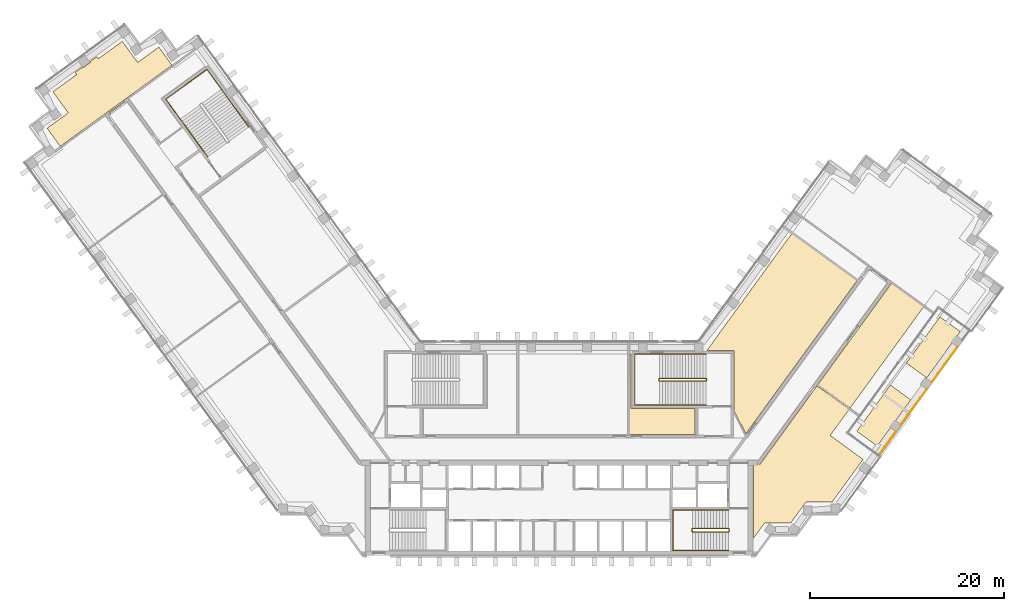
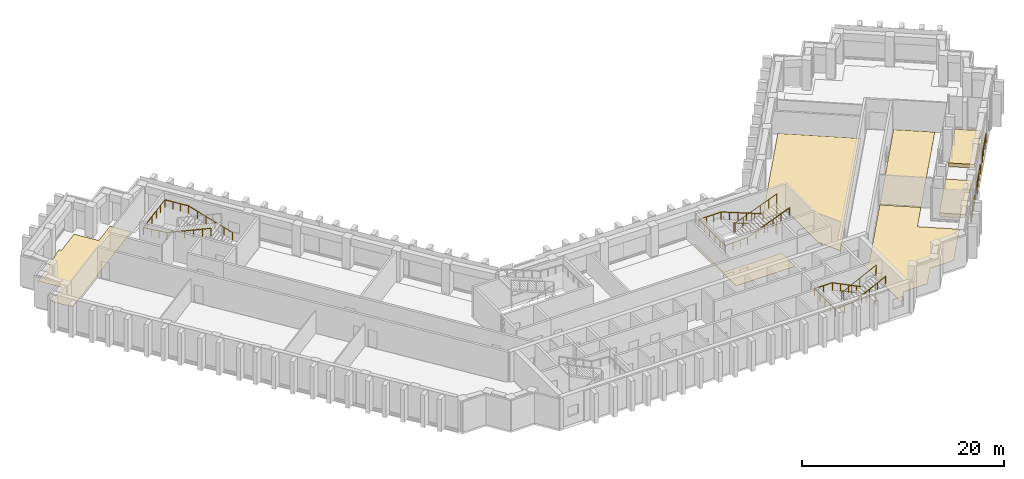
# One storey, part 14 of 15: 8 railings, 7 coverings.
"""IFC4 building model written with IfcOpenShell, lengths in metres."""

from ifc_helpers import new_model, si_unit, direction, frame, origin, origin_2d, place, context, subcontext, project, spatial, polyline, circle, outline, extrude, material, layer, layer_set, type_object, element, save


model = new_model("IFC4")

# Units and contexts
model_context = context("Model", 3, precision=1e-05, world=origin(), true_north=direction((0.0, 1.0)))
body_context = subcontext(model_context, "Body", "Model", "MODEL_VIEW")
ifc_project = project(units=[si_unit("LENGTHUNIT", "METRE"), si_unit("AREAUNIT", "SQUARE_METRE"), si_unit("VOLUMEUNIT", "CUBIC_METRE"), si_unit("PLANEANGLEUNIT", "RADIAN"), si_unit("MASSUNIT", "GRAM", prefix="KILO")], contexts=[model_context])

# Site, building, storey
site_placement = place(None, origin())
site = spatial("IfcSite", under=ifc_project, at=site_placement, CompositionType="ELEMENT")
building_placement = place(site_placement, origin())
building = spatial("IfcBuilding", under=site, at=building_placement, Name="Quipu Civic Tower", CompositionType="ELEMENT")
storey_placement = place(building_placement, frame((0.0, 0.0, 97.0)))
storey = spatial("IfcBuildingStorey", under=building, at=storey_placement, Name="L22", CompositionType="ELEMENT", Elevation=97.0)

# Coverings
ifc_material_1 = material(Name="Carpet tile on raised access floor")
ifc_layer_1 = layer(ifc_material_1, 0.02001953125)
ifc_layer_set_1 = layer_set([ifc_layer_1], Name="Carpet tile on raised access floor")
covering_type_1 = type_object("IfcCoveringType", Name="Carpet tile floor finish 20", PredefinedType="FLOORING", material=ifc_layer_set_1)
covering_1_placement = place(storey_placement, origin())
element("IfcCovering", 1, at=covering_1_placement, inside=storey, type_object=covering_type_1, Name="Carpet tile floor finish 20", PredefinedType="FLOORING", context=body_context, shape_type="SweptSolid", body=[
    extrude(outline(polyline([(26.705078125, 6.64208984375), (34.324951171875, 17.131103515625), (37.64990234375, 14.716064453125), (30.031005859375, 4.22705078125), (26.705078125, 6.64208984375)])), origin(), (0.0, 0.0, 1.0), 0.02001953125),
])
covering_2_placement = place(storey_placement, origin())
element("IfcCovering", 2, at=covering_2_placement, inside=storey, type_object=covering_type_1, Name="Carpet tile floor finish 20", PredefinedType="FLOORING", context=body_context, shape_type="SweptSolid", body=[
    extrude(outline(polyline([(-52.883056640625, 33.12890625), (-50.698974609375, 34.717041015625), (-52.284912109375, 36.90087890625), (-49.826904296875, 38.68603515625), (-49.97900390625, 38.89697265625), (-49.259033203125, 39.4208984375), (-49.236083984375, 39.388916015625), (-49.23291015625, 39.385009765625), (-49.22900390625, 39.382080078125), (-49.22607421875, 39.3779296875), (-49.220947265625, 39.3759765625), (-49.217041015625, 39.373046875), (-49.212890625, 39.37109375), (-49.2080078125, 39.3701171875), (-49.202880859375, 39.368896484375), (-49.197998046875, 39.367919921875), (-49.193115234375, 39.367919921875), (-49.18896484375, 39.368896484375), (-49.18408203125, 39.3701171875), (-49.178955078125, 39.37109375), (-49.174072265625, 39.373046875), (-49.169921875, 39.375), (-49.166015625, 39.3779296875), (-48.43798828125, 39.906982421875), (-48.43408203125, 39.909912109375), (-48.430908203125, 39.9130859375), (-48.427001953125, 39.9169921875), (-48.425048828125, 39.9208984375), (-48.422119140625, 39.926025390625), (-48.419921875, 39.929931640625), (-48.4189453125, 39.93505859375), (-48.41796875, 39.93994140625), (-48.4169921875, 39.944091796875), (-48.4169921875, 39.948974609375), (-48.41796875, 39.9541015625), (-48.4189453125, 39.958984375), (-48.419921875, 39.964111328125), (-48.422119140625, 39.968017578125), (-48.424072265625, 39.972900390625), (-48.427001953125, 39.97705078125), (-48.449951171875, 40.008056640625), (-47.72900390625, 40.531982421875), (-47.574951171875, 40.322021484375), (-45.116943359375, 42.10791015625), (-43.531982421875, 39.925048828125), (-41.346923828125, 41.510986328125), (-39.989013671875, 39.64208984375), (-51.52587890625, 31.260009765625), (-52.883056640625, 33.12890625)])), origin(), (0.0, 0.0, 1.0), 0.02001953125),
])
covering_3_placement = place(storey_placement, origin())
element("IfcCovering", 3, at=covering_3_placement, inside=storey, type_object=covering_type_1, Name="Carpet tile floor finish 20", PredefinedType="FLOORING", context=body_context, shape_type="SweptSolid", body=[
    extrude(outline(polyline([(20.070068359375, -9.195068359375), (20.070068359375, -1.52001953125), (20.77490234375, -1.51904296875), (26.6220703125, 6.529052734375), (29.947998046875, 4.114013671875), (27.98193359375, 1.407958984375), (31.37890625, -1.06103515625), (28.181884765625, -5.4609375), (25.48193359375, -5.4619140625), (25.2080078125, -5.840087890625), (25.205078125, -5.841064453125), (25.200927734375, -5.843017578125), (25.197021484375, -5.844970703125), (25.193115234375, -5.847900390625), (25.18896484375, -5.85205078125), (25.18603515625, -5.85498046875), (25.18310546875, -5.85888671875), (25.179931640625, -5.863037109375), (25.177978515625, -5.867919921875), (25.177001953125, -5.8720703125), (25.175048828125, -5.876953125), (25.175048828125, -5.882080078125), (25.174072265625, -5.885986328125), (23.89501953125, -7.64599609375), (21.721923828125, -7.64599609375), (21.721923828125, -7.64599609375), (21.718017578125, -7.64306640625), (21.712890625, -7.64111328125), (21.708984375, -7.638916015625), (21.7041015625, -7.637939453125), (21.698974609375, -7.636962890625), (21.694091796875, -7.635986328125), (21.68896484375, -7.636962890625), (21.68408203125, -7.636962890625), (21.679931640625, -7.637939453125), (21.675048828125, -7.639892578125), (21.669921875, -7.64111328125), (21.666015625, -7.64404296875), (21.6630859375, -7.64599609375), (21.196044921875, -7.64599609375), (20.070068359375, -9.195068359375)])), origin(), (0.0, 0.0, 1.0), 0.02001953125),
])
ifc_material_2 = material(Name="Ceramic floor tile")
ifc_layer_2 = layer(ifc_material_2, 0.030029296875)
ifc_layer_set_2 = layer_set([ifc_layer_2], Name="Ceramic floor tile")
covering_type_2 = type_object("IfcCoveringType", Name="Ceramic tile floor finish 30", PredefinedType="FLOORING", material=ifc_layer_set_2)
covering_4_placement = place(storey_placement, origin())
element("IfcCovering", 4, at=covering_4_placement, inside=storey, type_object=covering_type_2, Name="Ceramic tile floor finish 30", PredefinedType="FLOORING", context=body_context, shape_type="SweptSolid", body=[
    extrude(outline(polyline([(7.26806640625, 1.52001953125), (7.26806640625, 9.830078125), (7.429931640625, 9.830078125), (7.429931640625, 4.180908203125), (14.030029296875, 4.179931640625), (14.030029296875, 1.52001953125), (7.26806640625, 1.52001953125)])), origin(), (0.0, 0.0, 1.0), 0.030029296875),
])
ifc_material_3 = material(Name="Planting soil on drainage board")
ifc_layer_3 = layer(ifc_material_3, 0.449951171875)
ifc_layer_set_3 = layer_set([ifc_layer_3], Name="Planting soil on drainage board")
covering_type_3 = type_object("IfcCoveringType", Name="Planted terrace build-up", PredefinedType="FLOORING", material=ifc_layer_set_3)
covering_5_placement = place(storey_placement, origin())
element("IfcCovering", 5, at=covering_5_placement, inside=storey, type_object=covering_type_3, Name="Planted terrace L22 bed 1", PredefinedType="FLOORING", context=body_context, shape_type="SweptSolid", body=[
    extrude(outline(polyline([(34.201171875, 6.6162109375), (36.304443359375, 5.087890625), (32.836669921875, 0.31494140625), (30.7333984375, 1.84326171875), (34.201171875, 6.6162109375)])), origin(), (0.0, 0.0, 1.0), 0.449951171875),
])
covering_6_placement = place(storey_placement, origin())
element("IfcCovering", 6, at=covering_6_placement, inside=storey, type_object=covering_type_3, Name="Planted terrace L22 bed 2", PredefinedType="FLOORING", context=body_context, shape_type="SweptSolid", body=[
    extrude(outline(polyline([(39.31494140625, 13.65478515625), (41.41845703125, 12.126708984375), (37.9501953125, 7.353271484375), (35.846923828125, 8.881591796875), (39.31494140625, 13.65478515625)])), origin(), (0.0, 0.0, 1.0), 0.449951171875),
])
ifc_material_4 = material(Name="Sealed cement screed")
ifc_layer_4 = layer(ifc_material_4, 0.050048828125)
ifc_layer_set_4 = layer_set([ifc_layer_4], Name="Sealed cement screed")
covering_type_4 = type_object("IfcCoveringType", Name="Sealed screed floor finish 50", PredefinedType="FLOORING", material=ifc_layer_set_4)
covering_7_placement = place(storey_placement, origin())
element("IfcCovering", 7, at=covering_7_placement, inside=storey, type_object=covering_type_4, Name="Sealed screed floor finish 50", PredefinedType="FLOORING", context=body_context, shape_type="SweptSolid", body=[
    extrude(outline(polyline([(15.238037109375, 10.169921875), (24.029052734375, 22.26904296875), (30.751953125, 17.385986328125), (19.27197265625, 1.583984375), (18.070068359375, 3.94189453125), (18.070068359375, 10.1689453125), (15.238037109375, 10.169921875)])), origin(), (0.0, 0.0, 1.0), 0.050048828125),
])

# Railings
ifc_material_5 = material(Name="Stainless steel", Category="steel")
railing_type_1 = type_object("IfcRailingType", Name="Stair guard 1100", PredefinedType="GUARDRAIL", material=ifc_material_5)
railing_1_placement = place(storey_placement, frame((17.5, -8.199951171875, 0.15380859375)))
element("IfcRailing", 8, at=railing_1_placement, inside=storey, type_object=railing_type_1, Name="Stair 2 guard", PredefinedType="GUARDRAIL", context=body_context, shape_type="SweptSolid", body=[
    extrude(circle(Radius=0.02392578125, at=origin_2d()), frame((0.0, 0.0, 1.076171875), z_axis=(-0.895751851347, 0.0, 0.444554407028), x_axis=(0.0, -1.0, 0.0)), (0.0, 0.0, 1.0), 4.15283203125),
    extrude(circle(Radius=0.02392578125, at=origin_2d()), frame((-3.719970703125, 0.0, 2.92236328125), z_axis=(-0.707106781187, -0.707106781187, 0.0), x_axis=(0.707106781187, -0.707106781187, 0.0)), (0.0, 0.0, 1.0), 0.07080078125),
    extrude(circle(Radius=0.02392578125, at=origin_2d()), frame((-3.77001953125, -0.050048828125, 2.92236328125), z_axis=(0.0, -1.0, 0.0), x_axis=(1.0, 0.0, 0.0)), (0.0, 0.0, 1.0), 0.25),
    extrude(circle(Radius=0.02392578125, at=origin_2d()), frame((-3.77001953125, -0.300048828125, 2.92236328125), z_axis=(0.295599637079, -0.295599637079, 0.908428152975), x_axis=(0.707106781187, 0.707106781187, 0.0)), (0.0, 0.0, 1.0), 0.16943359375),
    extrude(circle(Radius=0.02392578125, at=origin_2d()), frame((-3.719970703125, -0.35009765625, 3.076171875), z_axis=(0.895751851347, 0.0, 0.444554407028), x_axis=(0.0, 1.0, 0.0)), (0.0, 0.0, 1.0), 4.15283203125),
    extrude(circle(Radius=0.02392578125, at=origin_2d()), frame((0.0, -0.35009765625, 4.92236328125), z_axis=(0.012476181752, 0.074796231092, -0.997120789425), x_axis=(-0.986372223864, 0.164529134168, 0.0)), (0.0, 0.0, 1.0), 4.011474609375),
    extrude(circle(Radius=0.02392578125, at=origin_2d()), frame((0.050048828125, -0.050048828125, 0.92236328125), z_axis=(0.0, -1.0, 0.0), x_axis=(1.0, 0.0, 0.0)), (0.0, 0.0, 1.0), 0.25),
    extrude(circle(Radius=0.02099609375, at=origin_2d()), origin(), (0.0, 0.0, 1.0), 1.052001953125),
    extrude(circle(Radius=0.02099609375, at=origin_2d()), frame((-0.929931640625, 0.0, 0.46142578125)), (0.0, 0.0, 1.0), 1.052001953125),
    extrude(circle(Radius=0.02099609375, at=origin_2d()), frame((-1.85986328125, 0.0, 0.923095703125)), (0.0, 0.0, 1.0), 1.052001953125),
    extrude(circle(Radius=0.02099609375, at=origin_2d()), frame((-2.7900390625, 0.0, 1.384765625)), (0.0, 0.0, 1.0), 1.052001953125),
    extrude(circle(Radius=0.02099609375, at=origin_2d()), frame((-3.719970703125, 0.0, 1.84619140625)), (0.0, 0.0, 1.0), 1.052001953125),
    extrude(circle(Radius=0.02099609375, at=origin_2d()), frame((-3.77001953125, -0.050048828125, 1.84619140625)), (0.0, 0.0, 1.0), 1.052001953125),
    extrude(circle(Radius=0.02099609375, at=origin_2d()), frame((-3.77001953125, -0.300048828125, 1.84619140625)), (0.0, 0.0, 1.0), 1.052001953125),
    extrude(circle(Radius=0.02099609375, at=origin_2d()), frame((-3.719970703125, -0.35009765625, 2.0)), (0.0, 0.0, 1.0), 1.052001953125),
    extrude(circle(Radius=0.02099609375, at=origin_2d()), frame((-2.7900390625, -0.35009765625, 2.46142578125)), (0.0, 0.0, 1.0), 1.052001953125),
    extrude(circle(Radius=0.02099609375, at=origin_2d()), frame((-1.85986328125, -0.35009765625, 2.923095703125)), (0.0, 0.0, 1.0), 1.052001953125),
    extrude(circle(Radius=0.02099609375, at=origin_2d()), frame((-0.929931640625, -0.35009765625, 3.384765625)), (0.0, 0.0, 1.0), 1.052001953125),
    extrude(circle(Radius=0.02099609375, at=origin_2d()), frame((0.0, -0.35009765625, 3.84619140625)), (0.0, 0.0, 1.0), 1.052001953125),
    extrude(circle(Radius=0.02099609375, at=origin_2d()), frame((0.012451171875, -0.275146484375, 2.84619140625)), (0.0, 0.0, 1.0), 1.052001953125),
    extrude(circle(Radius=0.02099609375, at=origin_2d()), frame((0.02490234375, -0.2001953125, 1.84619140625)), (0.0, 0.0, 1.0), 1.052001953125),
    extrude(circle(Radius=0.02099609375, at=origin_2d()), frame((0.03759765625, -0.125, 0.84619140625)), (0.0, 0.0, 1.0), 1.052001953125),
    extrude(circle(Radius=0.02099609375, at=origin_2d()), frame((0.050048828125, -0.050048828125, -0.15380859375)), (0.0, 0.0, 1.0), 1.052001953125),
    extrude(circle(Radius=0.02099609375, at=origin_2d()), frame((0.050048828125, -0.300048828125, -0.15380859375)), (0.0, 0.0, 1.0), 1.052001953125),
])
railing_2_placement = place(storey_placement, frame((15.14990234375, 7.300048828125, 0.11767578125)))
element("IfcRailing", 9, at=railing_2_placement, inside=storey, type_object=railing_type_1, Name="Stair 4 guard", PredefinedType="GUARDRAIL", context=body_context, shape_type="SweptSolid", body=[
    extrude(circle(Radius=0.02392578125, at=origin_2d()), frame((0.0, 0.0, 1.076171875), z_axis=(-0.930970042603, 0.0, 0.365095576219), x_axis=(0.0, -1.0, 0.0)), (0.0, 0.0, 1.0), 5.15576171875),
    extrude(circle(Radius=0.02392578125, at=origin_2d()), frame((-4.7998046875, 0.0, 2.95849609375), z_axis=(-0.707106781187, -0.707106781187, 0.0), x_axis=(0.707106781187, -0.707106781187, 0.0)), (0.0, 0.0, 1.0), 0.07080078125),
    extrude(circle(Radius=0.02392578125, at=origin_2d()), frame((-4.849853515625, -0.050048828125, 2.95849609375), z_axis=(0.0, -1.0, 0.0), x_axis=(1.0, 0.0, 0.0)), (0.0, 0.0, 1.0), 0.14990234375),
    extrude(circle(Radius=0.02392578125, at=origin_2d()), frame((-4.849853515625, -0.199951171875, 2.95849609375), z_axis=(0.364463019033, -0.364463019033, 0.856932561824), x_axis=(0.707106781187, 0.707106781187, 0.0)), (0.0, 0.0, 1.0), 0.13720703125),
    extrude(circle(Radius=0.02392578125, at=origin_2d()), frame((-4.7998046875, -0.25, 3.076171875), z_axis=(0.930970042603, 0.0, 0.365095576219), x_axis=(0.0, 1.0, 0.0)), (0.0, 0.0, 1.0), 5.15576171875),
    extrude(circle(Radius=0.02392578125, at=origin_2d()), frame((0.0, -0.25, 4.95849609375), z_axis=(0.012495627992, 0.049921557685, -0.998674970829), x_axis=(-0.970072785993, 0.242814311512, 0.0)), (0.0, 0.0, 1.0), 4.00537109375),
    extrude(circle(Radius=0.02392578125, at=origin_2d()), frame((0.050048828125, -0.050048828125, 0.95849609375), z_axis=(0.0, -1.0, 0.0), x_axis=(1.0, 0.0, 0.0)), (0.0, 0.0, 1.0), 0.14990234375),
    extrude(circle(Radius=0.02099609375, at=origin_2d()), origin(), (0.0, 0.0, 1.0), 1.052001953125),
    extrude(circle(Radius=0.02099609375, at=origin_2d()), frame((-0.9599609375, 0.0, 0.37646484375)), (0.0, 0.0, 1.0), 1.052001953125),
    extrude(circle(Radius=0.02099609375, at=origin_2d()), frame((-1.919921875, 0.0, 0.7529296875)), (0.0, 0.0, 1.0), 1.052001953125),
    extrude(circle(Radius=0.02099609375, at=origin_2d()), frame((-2.8798828125, 0.0, 1.12939453125)), (0.0, 0.0, 1.0), 1.052001953125),
    extrude(circle(Radius=0.02099609375, at=origin_2d()), frame((-3.83984375, 0.0, 1.505859375)), (0.0, 0.0, 1.0), 1.052001953125),
    extrude(circle(Radius=0.02099609375, at=origin_2d()), frame((-4.7998046875, 0.0, 1.88232421875)), (0.0, 0.0, 1.0), 1.052001953125),
    extrude(circle(Radius=0.02099609375, at=origin_2d()), frame((-4.849853515625, -0.050048828125, 1.88232421875)), (0.0, 0.0, 1.0), 1.052001953125),
    extrude(circle(Radius=0.02099609375, at=origin_2d()), frame((-4.849853515625, -0.199951171875, 1.88232421875)), (0.0, 0.0, 1.0), 1.052001953125),
    extrude(circle(Radius=0.02099609375, at=origin_2d()), frame((-4.7998046875, -0.25, 2.0)), (0.0, 0.0, 1.0), 1.052001953125),
    extrude(circle(Radius=0.02099609375, at=origin_2d()), frame((-3.83984375, -0.25, 2.37646484375)), (0.0, 0.0, 1.0), 1.052001953125),
    extrude(circle(Radius=0.02099609375, at=origin_2d()), frame((-2.8798828125, -0.25, 2.7529296875)), (0.0, 0.0, 1.0), 1.052001953125),
    extrude(circle(Radius=0.02099609375, at=origin_2d()), frame((-1.919921875, -0.25, 3.12939453125)), (0.0, 0.0, 1.0), 1.052001953125),
    extrude(circle(Radius=0.02099609375, at=origin_2d()), frame((-0.9599609375, -0.25, 3.505859375)), (0.0, 0.0, 1.0), 1.052001953125),
    extrude(circle(Radius=0.02099609375, at=origin_2d()), frame((0.0, -0.25, 3.88232421875)), (0.0, 0.0, 1.0), 1.052001953125),
    extrude(circle(Radius=0.02099609375, at=origin_2d()), frame((0.012451171875, -0.199951171875, 2.88232421875)), (0.0, 0.0, 1.0), 1.052001953125),
    extrude(circle(Radius=0.02099609375, at=origin_2d()), frame((0.02490234375, -0.14990234375, 1.88232421875)), (0.0, 0.0, 1.0), 1.052001953125),
    extrude(circle(Radius=0.02099609375, at=origin_2d()), frame((0.03759765625, -0.10009765625, 0.88232421875)), (0.0, 0.0, 1.0), 1.052001953125),
    extrude(circle(Radius=0.02099609375, at=origin_2d()), frame((0.050048828125, -0.050048828125, -0.11767578125)), (0.0, 0.0, 1.0), 1.052001953125),
    extrude(circle(Radius=0.02099609375, at=origin_2d()), frame((0.050048828125, -0.199951171875, -0.11767578125)), (0.0, 0.0, 1.0), 1.052001953125),
])
ifc_material_6 = material(Name="Stainless steel", Category="steel")
railing_type_2 = type_object("IfcRailingType", Name="Stair handrail", PredefinedType="HANDRAIL", material=ifc_material_6)
railing_3_placement = place(storey_placement, frame((17.5, -6.300048828125, 0.15380859375)))
element("IfcRailing", 10, at=railing_3_placement, inside=storey, type_object=railing_type_2, Name="Stair 2 handrail", PredefinedType="HANDRAIL", context=body_context, shape_type="SweptSolid", body=[
    extrude(circle(Radius=0.02392578125, at=origin_2d()), frame((0.0, 0.0, 0.8759765625), z_axis=(-0.895751851347, 0.0, 0.444554407028), x_axis=(0.0, -1.0, 0.0)), (0.0, 0.0, 1.0), 4.15283203125),
    extrude(circle(Radius=0.02392578125, at=origin_2d()), frame((-3.719970703125, 0.0, 2.72216796875), z_axis=(-1.0, 0.0, 0.0), x_axis=(0.0, -1.0, 0.0)), (0.0, 0.0, 1.0), 2.030029296875),
    extrude(circle(Radius=0.02392578125, at=origin_2d()), frame((-5.75, 0.0, 2.72216796875), z_axis=(0.0, -1.0, 0.0), x_axis=(1.0, 0.0, 0.0)), (0.0, 0.0, 1.0), 4.14990234375),
    extrude(circle(Radius=0.02392578125, at=origin_2d()), frame((-5.75, -4.14990234375, 2.72216796875), z_axis=(0.997142003663, 0.0, 0.075550145798), x_axis=(0.0, 1.0, 0.0)), (0.0, 0.0, 1.0), 2.035888671875),
    extrude(circle(Radius=0.02392578125, at=origin_2d()), frame((-3.719970703125, -4.14990234375, 2.8759765625), z_axis=(0.895751851347, 0.0, 0.444554407028), x_axis=(0.0, 1.0, 0.0)), (0.0, 0.0, 1.0), 4.15283203125),
    extrude(circle(Radius=0.02099609375, at=origin_2d()), origin(), (0.0, 0.0, 1.0), 0.851806640625),
    extrude(circle(Radius=0.02099609375, at=origin_2d()), frame((-0.929931640625, 0.0, 0.46142578125)), (0.0, 0.0, 1.0), 0.851806640625),
    extrude(circle(Radius=0.02099609375, at=origin_2d()), frame((-1.85986328125, 0.0, 0.923095703125)), (0.0, 0.0, 1.0), 0.851806640625),
    extrude(circle(Radius=0.02099609375, at=origin_2d()), frame((-2.7900390625, 0.0, 1.384765625)), (0.0, 0.0, 1.0), 0.851806640625),
    extrude(circle(Radius=0.02099609375, at=origin_2d()), frame((-3.719970703125, 0.0, 1.84619140625)), (0.0, 0.0, 1.0), 0.851806640625),
    extrude(circle(Radius=0.02099609375, at=origin_2d()), frame((-4.73486328125, 0.0, 1.84619140625)), (0.0, 0.0, 1.0), 0.851806640625),
    extrude(circle(Radius=0.02099609375, at=origin_2d()), frame((-5.75, 0.0, 1.84619140625)), (0.0, 0.0, 1.0), 0.851806640625),
    extrude(circle(Radius=0.02099609375, at=origin_2d()), frame((-5.75, -1.03759765625, 1.84619140625)), (0.0, 0.0, 1.0), 0.851806640625),
    extrude(circle(Radius=0.02099609375, at=origin_2d()), frame((-5.75, -2.074951171875, 1.84619140625)), (0.0, 0.0, 1.0), 0.851806640625),
    extrude(circle(Radius=0.02099609375, at=origin_2d()), frame((-5.75, -3.1123046875, 1.84619140625)), (0.0, 0.0, 1.0), 0.851806640625),
    extrude(circle(Radius=0.02099609375, at=origin_2d()), frame((-5.75, -4.14990234375, 1.84619140625)), (0.0, 0.0, 1.0), 0.851806640625),
    extrude(circle(Radius=0.02099609375, at=origin_2d()), frame((-4.73486328125, -4.14990234375, 1.923095703125)), (0.0, 0.0, 1.0), 0.851806640625),
    extrude(circle(Radius=0.02099609375, at=origin_2d()), frame((-3.719970703125, -4.14990234375, 2.0)), (0.0, 0.0, 1.0), 0.851806640625),
    extrude(circle(Radius=0.02099609375, at=origin_2d()), frame((-2.7900390625, -4.14990234375, 2.46142578125)), (0.0, 0.0, 1.0), 0.851806640625),
    extrude(circle(Radius=0.02099609375, at=origin_2d()), frame((-1.85986328125, -4.14990234375, 2.923095703125)), (0.0, 0.0, 1.0), 0.851806640625),
    extrude(circle(Radius=0.02099609375, at=origin_2d()), frame((-0.929931640625, -4.14990234375, 3.384765625)), (0.0, 0.0, 1.0), 0.851806640625),
    extrude(circle(Radius=0.02099609375, at=origin_2d()), frame((0.0, -4.14990234375, 3.84619140625)), (0.0, 0.0, 1.0), 0.851806640625),
])
railing_4_placement = place(storey_placement, frame((15.14990234375, 9.800048828125, 0.11767578125)))
element("IfcRailing", 11, at=railing_4_placement, inside=storey, type_object=railing_type_2, Name="Stair 4 handrail", PredefinedType="HANDRAIL", context=body_context, shape_type="SweptSolid", body=[
    extrude(circle(Radius=0.02392578125, at=origin_2d()), frame((0.0, 0.0, 0.8759765625), z_axis=(-0.930970042603, 0.0, 0.365095576219), x_axis=(0.0, -1.0, 0.0)), (0.0, 0.0, 1.0), 5.15576171875),
    extrude(circle(Radius=0.02392578125, at=origin_2d()), frame((-4.7998046875, 0.0, 2.75830078125), z_axis=(-1.0, 0.0, 0.0), x_axis=(0.0, -1.0, 0.0)), (0.0, 0.0, 1.0), 2.550048828125),
    extrude(circle(Radius=0.02392578125, at=origin_2d()), frame((-7.349853515625, 0.0, 2.75830078125), z_axis=(0.0, -1.0, 0.0), x_axis=(1.0, 0.0, 0.0)), (0.0, 0.0, 1.0), 5.25),
    extrude(circle(Radius=0.02392578125, at=origin_2d()), frame((-7.349853515625, -5.25, 2.75830078125), z_axis=(0.998936948642, 0.0, 0.04609742549), x_axis=(0.0, 1.0, 0.0)), (0.0, 0.0, 1.0), 2.552734375),
    extrude(circle(Radius=0.02392578125, at=origin_2d()), frame((-4.7998046875, -5.25, 2.8759765625), z_axis=(0.930970042603, 0.0, 0.365095576219), x_axis=(0.0, 1.0, 0.0)), (0.0, 0.0, 1.0), 5.15576171875),
    extrude(circle(Radius=0.02099609375, at=origin_2d()), origin(), (0.0, 0.0, 1.0), 0.851806640625),
    extrude(circle(Radius=0.02099609375, at=origin_2d()), frame((-0.9599609375, 0.0, 0.37646484375)), (0.0, 0.0, 1.0), 0.851806640625),
    extrude(circle(Radius=0.02099609375, at=origin_2d()), frame((-1.919921875, 0.0, 0.7529296875)), (0.0, 0.0, 1.0), 0.851806640625),
    extrude(circle(Radius=0.02099609375, at=origin_2d()), frame((-2.8798828125, 0.0, 1.12939453125)), (0.0, 0.0, 1.0), 0.851806640625),
    extrude(circle(Radius=0.02099609375, at=origin_2d()), frame((-3.83984375, 0.0, 1.505859375)), (0.0, 0.0, 1.0), 0.851806640625),
    extrude(circle(Radius=0.02099609375, at=origin_2d()), frame((-4.7998046875, 0.0, 1.88232421875)), (0.0, 0.0, 1.0), 0.851806640625),
    extrude(circle(Radius=0.02099609375, at=origin_2d()), frame((-5.64990234375, 0.0, 1.88232421875)), (0.0, 0.0, 1.0), 0.851806640625),
    extrude(circle(Radius=0.02099609375, at=origin_2d()), frame((-6.499755859375, 0.0, 1.88232421875)), (0.0, 0.0, 1.0), 0.851806640625),
    extrude(circle(Radius=0.02099609375, at=origin_2d()), frame((-7.349853515625, 0.0, 1.88232421875)), (0.0, 0.0, 1.0), 0.851806640625),
    extrude(circle(Radius=0.02099609375, at=origin_2d()), frame((-7.349853515625, -1.050048828125, 1.88232421875)), (0.0, 0.0, 1.0), 0.851806640625),
    extrude(circle(Radius=0.02099609375, at=origin_2d()), frame((-7.349853515625, -2.10009765625, 1.88232421875)), (0.0, 0.0, 1.0), 0.851806640625),
    extrude(circle(Radius=0.02099609375, at=origin_2d()), frame((-7.349853515625, -3.14990234375, 1.88232421875)), (0.0, 0.0, 1.0), 0.851806640625),
    extrude(circle(Radius=0.02099609375, at=origin_2d()), frame((-7.349853515625, -4.199951171875, 1.88232421875)), (0.0, 0.0, 1.0), 0.851806640625),
    extrude(circle(Radius=0.02099609375, at=origin_2d()), frame((-7.349853515625, -5.25, 1.88232421875)), (0.0, 0.0, 1.0), 0.851806640625),
    extrude(circle(Radius=0.02099609375, at=origin_2d()), frame((-6.499755859375, -5.25, 1.921630859375)), (0.0, 0.0, 1.0), 0.851806640625),
    extrude(circle(Radius=0.02099609375, at=origin_2d()), frame((-5.64990234375, -5.25, 1.960693359375)), (0.0, 0.0, 1.0), 0.851806640625),
    extrude(circle(Radius=0.02099609375, at=origin_2d()), frame((-4.7998046875, -5.25, 2.0)), (0.0, 0.0, 1.0), 0.851806640625),
    extrude(circle(Radius=0.02099609375, at=origin_2d()), frame((-3.83984375, -5.25, 2.37646484375)), (0.0, 0.0, 1.0), 0.851806640625),
    extrude(circle(Radius=0.02099609375, at=origin_2d()), frame((-2.8798828125, -5.25, 2.7529296875)), (0.0, 0.0, 1.0), 0.851806640625),
    extrude(circle(Radius=0.02099609375, at=origin_2d()), frame((-1.919921875, -5.25, 3.12939453125)), (0.0, 0.0, 1.0), 0.851806640625),
    extrude(circle(Radius=0.02099609375, at=origin_2d()), frame((-0.9599609375, -5.25, 3.505859375)), (0.0, 0.0, 1.0), 0.851806640625),
    extrude(circle(Radius=0.02099609375, at=origin_2d()), frame((0.0, -5.25, 3.88232421875)), (0.0, 0.0, 1.0), 0.851806640625),
])
railing_5_placement = place(storey_placement, frame((-32.056396484375, 33.266845703125, 0.11767578125)))
element("IfcRailing", 12, at=railing_5_placement, inside=storey, type_object=railing_type_2, Name="Stair 6 handrail", PredefinedType="HANDRAIL", context=body_context, shape_type="SweptSolid", body=[
    extrude(circle(Radius=0.02392578125, at=origin_2d()), frame((0.0, 0.0, 0.8759765625), z_axis=(-0.54720100349, 0.753182689643, 0.365084781664), x_axis=(-0.809026317077, -0.587772420479, 0.0)), (0.0, 0.0, 1.0), 5.15576171875),
    extrude(circle(Radius=0.02392578125, at=origin_2d()), frame((-2.8212890625, 3.88330078125, 2.75830078125), z_axis=(-0.587767432704, 0.809029940764, 0.0), x_axis=(-0.809029940764, -0.587767432704, 0.0)), (0.0, 0.0, 1.0), 2.550048828125),
    extrude(circle(Radius=0.02392578125, at=origin_2d()), frame((-4.320068359375, 5.9462890625, 2.75830078125), z_axis=(-0.809009483706, -0.587795589702, 0.0), x_axis=(0.587795589702, -0.809009483706, 0.0)), (0.0, 0.0, 1.0), 5.25),
    extrude(circle(Radius=0.02392578125, at=origin_2d()), frame((-8.5673828125, 2.8603515625, 2.75830078125), z_axis=(0.587142558822, -0.808169835812, 0.046099155132), x_axis=(0.809029940764, 0.587767432704, 0.0)), (0.0, 0.0, 1.0), 2.552734375),
    extrude(circle(Radius=0.02392578125, at=origin_2d()), frame((-7.068603515625, 0.79736328125, 2.8759765625), z_axis=(0.54720100349, -0.753182689643, 0.365084781664), x_axis=(0.809026317077, 0.587772420479, 0.0)), (0.0, 0.0, 1.0), 5.15576171875),
    extrude(circle(Radius=0.02099609375, at=origin_2d()), origin(), (0.0, 0.0, 1.0), 0.851806640625),
    extrude(circle(Radius=0.02099609375, at=origin_2d()), frame((-0.564208984375, 0.776611328125, 0.37646484375)), (0.0, 0.0, 1.0), 0.851806640625),
    extrude(circle(Radius=0.02099609375, at=origin_2d()), frame((-1.12841796875, 1.55322265625, 0.7529296875)), (0.0, 0.0, 1.0), 0.851806640625),
    extrude(circle(Radius=0.02099609375, at=origin_2d()), frame((-1.69287109375, 2.330078125, 1.12939453125)), (0.0, 0.0, 1.0), 0.851806640625),
    extrude(circle(Radius=0.02099609375, at=origin_2d()), frame((-2.257080078125, 3.106689453125, 1.505859375)), (0.0, 0.0, 1.0), 0.851806640625),
    extrude(circle(Radius=0.02099609375, at=origin_2d()), frame((-2.8212890625, 3.88330078125, 1.88232421875)), (0.0, 0.0, 1.0), 0.851806640625),
    extrude(circle(Radius=0.02099609375, at=origin_2d()), frame((-3.32080078125, 4.571044921875, 1.88232421875)), (0.0, 0.0, 1.0), 0.851806640625),
    extrude(circle(Radius=0.02099609375, at=origin_2d()), frame((-3.820556640625, 5.258544921875, 1.88232421875)), (0.0, 0.0, 1.0), 0.851806640625),
    extrude(circle(Radius=0.02099609375, at=origin_2d()), frame((-4.320068359375, 5.9462890625, 1.88232421875)), (0.0, 0.0, 1.0), 0.851806640625),
    extrude(circle(Radius=0.02099609375, at=origin_2d()), frame((-5.16943359375, 5.3291015625, 1.88232421875)), (0.0, 0.0, 1.0), 0.851806640625),
    extrude(circle(Radius=0.02099609375, at=origin_2d()), frame((-6.01904296875, 4.7119140625, 1.88232421875)), (0.0, 0.0, 1.0), 0.851806640625),
    extrude(circle(Radius=0.02099609375, at=origin_2d()), frame((-6.868408203125, 4.0947265625, 1.88232421875)), (0.0, 0.0, 1.0), 0.851806640625),
    extrude(circle(Radius=0.02099609375, at=origin_2d()), frame((-7.718017578125, 3.4775390625, 1.88232421875)), (0.0, 0.0, 1.0), 0.851806640625),
    extrude(circle(Radius=0.02099609375, at=origin_2d()), frame((-8.5673828125, 2.8603515625, 1.88232421875)), (0.0, 0.0, 1.0), 0.851806640625),
    extrude(circle(Radius=0.02099609375, at=origin_2d()), frame((-8.06787109375, 2.172607421875, 1.921630859375)), (0.0, 0.0, 1.0), 0.851806640625),
    extrude(circle(Radius=0.02099609375, at=origin_2d()), frame((-7.568115234375, 1.485107421875, 1.960693359375)), (0.0, 0.0, 1.0), 0.851806640625),
    extrude(circle(Radius=0.02099609375, at=origin_2d()), frame((-7.068603515625, 0.79736328125, 2.0)), (0.0, 0.0, 1.0), 0.851806640625),
    extrude(circle(Radius=0.02099609375, at=origin_2d()), frame((-6.50439453125, 0.020751953125, 2.37646484375)), (0.0, 0.0, 1.0), 0.851806640625),
    extrude(circle(Radius=0.02099609375, at=origin_2d()), frame((-5.940185546875, -0.755859375, 2.7529296875)), (0.0, 0.0, 1.0), 0.851806640625),
    extrude(circle(Radius=0.02099609375, at=origin_2d()), frame((-5.375732421875, -1.53271484375, 3.12939453125)), (0.0, 0.0, 1.0), 0.851806640625),
    extrude(circle(Radius=0.02099609375, at=origin_2d()), frame((-4.8115234375, -2.309326171875, 3.505859375)), (0.0, 0.0, 1.0), 0.851806640625),
    extrude(circle(Radius=0.02099609375, at=origin_2d()), frame((-4.247314453125, -3.0859375, 3.88232421875)), (0.0, 0.0, 1.0), 0.851806640625),
])
ifc_material_7 = material(Name="Steel S275", Category="steel")
railing_type_3 = type_object("IfcRailingType", Name="Terrace guard G1", PredefinedType="GUARDRAIL", material=ifc_material_7)
railing_6_placement = place(storey_placement, frame((33.0341796875, -0.570068359375, 0.0)))
element("IfcRailing", 13, at=railing_6_placement, inside=storey, type_object=railing_type_3, Name="Terrace guard L22.1", PredefinedType="GUARDRAIL", context=body_context, shape_type="SweptSolid", body=[
    extrude(circle(Radius=0.02490234375, at=origin_2d()), frame((0.0, 0.0, 1.1748046875), z_axis=(0.587821683402, 0.808990524371, 0.0), x_axis=(-0.808990524371, 0.587821683402, 0.0)), (0.0, 0.0, 1.0), 2.945068359375),
    extrude(circle(Radius=0.02490234375, at=origin_2d()), origin(), (0.0, 0.0, 1.0), 1.14990234375),
    extrude(circle(Radius=0.02490234375, at=origin_2d()), frame((0.5771484375, 0.794189453125, 0.0)), (0.0, 0.0, 1.0), 1.14990234375),
    extrude(circle(Radius=0.02490234375, at=origin_2d()), frame((1.154052734375, 1.58837890625, 0.0)), (0.0, 0.0, 1.0), 1.14990234375),
    extrude(circle(Radius=0.02490234375, at=origin_2d()), frame((1.731201171875, 2.382568359375, 0.0)), (0.0, 0.0, 1.0), 1.14990234375),
])
railing_7_placement = place(storey_placement, frame((35.29443359375, 2.540771484375, 0.0)))
element("IfcRailing", 14, at=railing_7_placement, inside=storey, type_object=railing_type_3, Name="Terrace guard L22.2", PredefinedType="GUARDRAIL", context=body_context, shape_type="SweptSolid", body=[
    extrude(circle(Radius=0.02490234375, at=origin_2d()), frame((0.0, 0.0, 1.1748046875), z_axis=(0.587803872688, 0.809003465539, 0.0), x_axis=(-0.809003465539, 0.587803872688, 0.0)), (0.0, 0.0, 1.0), 4.499755859375),
    extrude(circle(Radius=0.02490234375, at=origin_2d()), origin(), (0.0, 0.0, 1.0), 1.14990234375),
    extrude(circle(Radius=0.02490234375, at=origin_2d()), frame((0.6611328125, 0.91015625, 0.0)), (0.0, 0.0, 1.0), 1.14990234375),
    extrude(circle(Radius=0.02490234375, at=origin_2d()), frame((1.322509765625, 1.8203125, 0.0)), (0.0, 0.0, 1.0), 1.14990234375),
    extrude(circle(Radius=0.02490234375, at=origin_2d()), frame((1.98388671875, 2.730224609375, 0.0)), (0.0, 0.0, 1.0), 1.14990234375),
    extrude(circle(Radius=0.02490234375, at=origin_2d()), frame((2.64501953125, 3.640380859375, 0.0)), (0.0, 0.0, 1.0), 1.14990234375),
])
railing_8_placement = place(storey_placement, frame((38.46826171875, 6.909423828125, 0.0)))
element("IfcRailing", 15, at=railing_8_placement, inside=storey, type_object=railing_type_3, Name="Terrace guard L22.3", PredefinedType="GUARDRAIL", context=body_context, shape_type="SweptSolid", body=[
    extrude(circle(Radius=0.02490234375, at=origin_2d()), frame((0.0, 0.0, 1.1748046875), z_axis=(0.587778073121, 0.809022210299, 0.0), x_axis=(-0.809022210299, 0.587778073121, 0.0)), (0.0, 0.0, 1.0), 4.5),
    extrude(circle(Radius=0.02490234375, at=origin_2d()), origin(), (0.0, 0.0, 1.0), 1.14990234375),
    extrude(circle(Radius=0.02490234375, at=origin_2d()), frame((0.6611328125, 0.91015625, 0.0)), (0.0, 0.0, 1.0), 1.14990234375),
    extrude(circle(Radius=0.02490234375, at=origin_2d()), frame((1.322509765625, 1.8203125, 0.0)), (0.0, 0.0, 1.0), 1.14990234375),
    extrude(circle(Radius=0.02490234375, at=origin_2d()), frame((1.98388671875, 2.73046875, 0.0)), (0.0, 0.0, 1.0), 1.14990234375),
    extrude(circle(Radius=0.02490234375, at=origin_2d()), frame((2.64501953125, 3.640625, 0.0)), (0.0, 0.0, 1.0), 1.14990234375),
])

save(model, "model.ifc")
